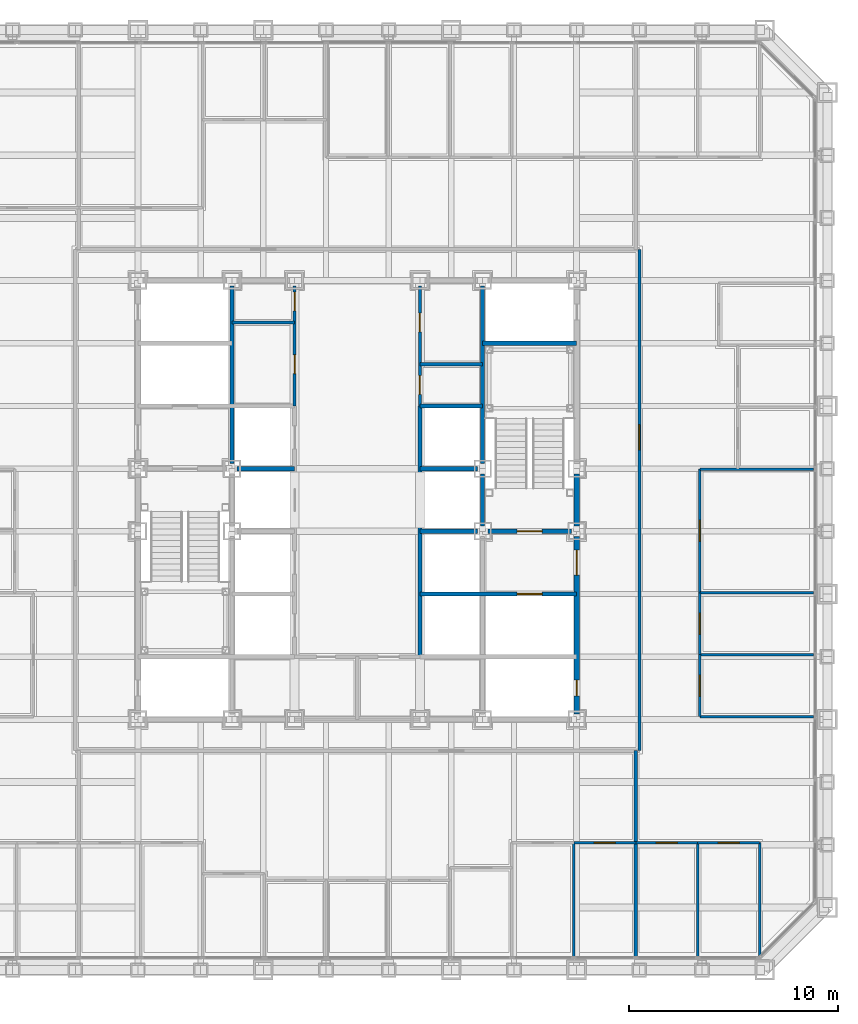
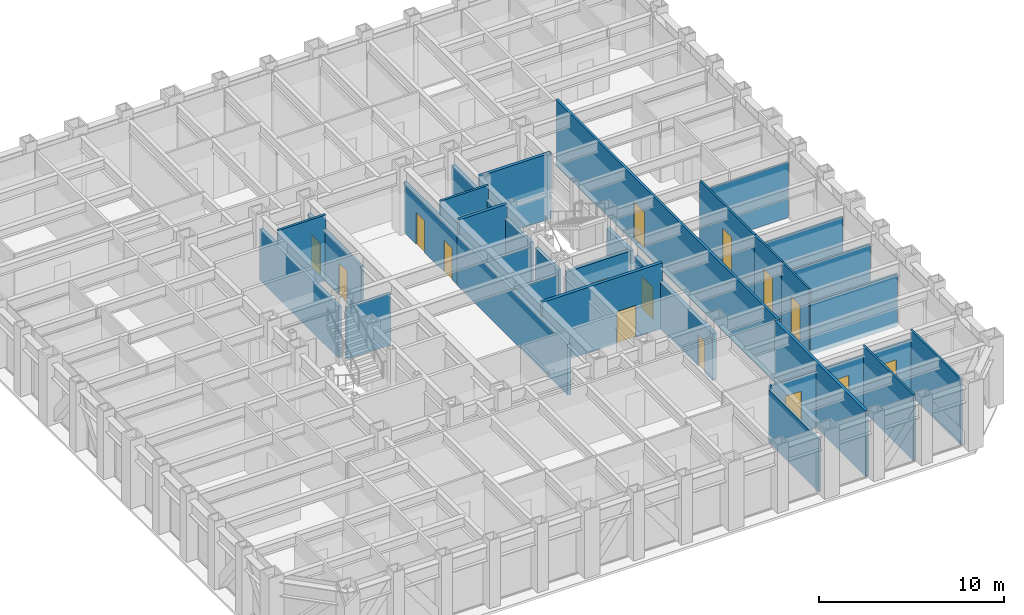
# One storey, part 10 of 16: 32 walls, 15 doors, 15 openings.
"""IFC4 building model written with IfcOpenShell, lengths in metres."""

import ifcopenshell
import ifcopenshell.guid

model = None  # the IFC model being written
_history = None  # IfcOwnerHistory: only IFC2X3 demands one
_inside = {}  # id of a spatial element -> (the spatial element, [elements in it])
_under = {}  # id of a project, library or spatial element -> (it, [spatial elements below it])
_declared = {}  # id of a project -> (the project, [libraries it declares])
_typed = {}  # id of a type object -> (the type object, [elements of that type])
_made_of = {}  # id of a material, layer set ... -> (it, [elements and type objects made of it])


def new_model(schema):
    """Start an empty IFC model of exactly this schema.

    Asked for "IFC4X3", IfcOpenShell would pick the latest addendum, in which some entities
    have other attributes; the version numbers below select the first issue.
    IFC2X3 requires an IfcOwnerHistory on every rooted entity: one is made here for all.
    """
    global model, _history
    if schema == "IFC4X3":
        model = ifcopenshell.file(schema_version=(4, 3, 0, 0))
    else:
        model = ifcopenshell.file(schema=schema)
    _inside.clear()
    _under.clear()
    _declared.clear()
    _typed.clear()
    _made_of.clear()
    _history = None
    if model.schema == "IFC2X3":
        org = make("IfcOrganization", Name="unknown")
        user = make(
            "IfcPersonAndOrganization",
            ThePerson=make("IfcPerson", FamilyName="unknown"),
            TheOrganization=org,
        )
        app = make(
            "IfcApplication",
            ApplicationDeveloper=org,
            Version="unknown",
            ApplicationFullName="unknown",
            ApplicationIdentifier="unknown",
        )
        _history = make(
            "IfcOwnerHistory",
            OwningUser=user,
            OwningApplication=app,
            ChangeAction="ADDED",
            CreationDate=0,
        )
    return model


def make(cls, **values):
    """One entity of the class cls with the attributes given. An attribute that is None is left unset."""
    return model.create_entity(
        cls, **{name: value for name, value in values.items() if value is not None}
    )


def rooted(cls, **values):
    """An entity with a GlobalId (a new one), such as an element, a storey or a relation."""
    return make(cls, GlobalId=ifcopenshell.guid.new(), OwnerHistory=_history, **values)


def si_unit(unit_type, name, prefix=None):
    """IfcSIUnit, for example si_unit("LENGTHUNIT", "METRE", prefix="MILLI")."""
    return make("IfcSIUnit", UnitType=unit_type, Prefix=prefix, Name=name)


def assignment(units):
    """IfcUnitAssignment: the units of a project."""
    return None if units is None else make("IfcUnitAssignment", Units=units)


def point(xyz):
    """IfcCartesianPoint."""
    return None if xyz is None else make("IfcCartesianPoint", Coordinates=xyz)


def direction(xyz):
    """IfcDirection."""
    return None if xyz is None else make("IfcDirection", DirectionRatios=xyz)


def frame(location, z_axis=None, x_axis=None):
    """IfcAxis2Placement3D, a coordinate frame: its origin and axes. An axis left out is left unset."""
    return make(
        "IfcAxis2Placement3D",
        Location=point(location),
        Axis=direction(z_axis),
        RefDirection=direction(x_axis),
    )


def frame_2d(location, x_axis=None):
    """IfcAxis2Placement2D, a coordinate frame in the plane: its origin and x axis."""
    return make(
        "IfcAxis2Placement2D", Location=point(location), RefDirection=direction(x_axis)
    )


def origin():
    """The frame at (0, 0, 0) with its axes left unset."""
    return frame((0.0, 0.0, 0.0))


def place(relative_to, where):
    """IfcLocalPlacement: puts the frame where relative to a parent placement (None: the world)."""
    return make(
        "IfcLocalPlacement", PlacementRelTo=relative_to, RelativePlacement=where
    )


def context(
    kind, dimensions, precision=None, world=None, true_north=None, identifier=None
):
    """IfcGeometricRepresentationContext, for example the 3D "Model" context."""
    return make(
        "IfcGeometricRepresentationContext",
        ContextIdentifier=identifier,
        ContextType=kind,
        CoordinateSpaceDimension=dimensions,
        Precision=precision,
        WorldCoordinateSystem=world,
        TrueNorth=true_north,
    )


def subcontext(parent, identifier, kind, view, scale=None):
    """IfcGeometricRepresentationSubContext, for example "Body" below "Model"."""
    return make(
        "IfcGeometricRepresentationSubContext",
        ContextIdentifier=identifier,
        ContextType=kind,
        ParentContext=parent,
        TargetScale=scale,
        TargetView=view,
    )


def project(units=None, contexts=None):
    """IfcProject with its units and contexts."""
    return rooted(
        "IfcProject",
        Name="project",
        RepresentationContexts=contexts,
        UnitsInContext=assignment(units),
    )


def spatial(cls, under=None, at=None, **own):
    """A site, building, storey or space (cls), placed at a placement, below another one or the project."""
    s = rooted(cls, ObjectPlacement=at, **own)
    if under is not None:
        _under.setdefault(under.id(), (under, []))[1].append(s)
    return s


def profile(cls, at=None, kind="AREA", **sizes):
    """A parametric profile (cls). Its sizes go by their IFC names, for example OverallWidth=200.0."""
    return make(cls, ProfileType=kind, Position=at, **sizes)


def rectangle(**sizes):
    """IfcRectangleProfileDef."""
    return profile("IfcRectangleProfileDef", **sizes)


def extrude(swept, where, along, depth):
    """IfcExtrudedAreaSolid: the profile swept, set in the frame where, extruded along a direction by depth."""
    return make(
        "IfcExtrudedAreaSolid",
        SweptArea=swept,
        Position=where,
        ExtrudedDirection=direction(along),
        Depth=depth,
    )


def shape(context_of_items, identifier, shape_type, items):
    """IfcShapeRepresentation: the items that make up one representation, for example the "Body"."""
    return make(
        "IfcShapeRepresentation",
        ContextOfItems=context_of_items,
        RepresentationIdentifier=identifier,
        RepresentationType=shape_type,
        Items=items,
    )


def material(Name=None, Category=None):
    """IfcMaterial."""
    return make("IfcMaterial", Name=Name, Category=Category)


def layer(
    of_material, thickness, ventilated=None, Name=None, Category=None, Priority=None
):
    """IfcMaterialLayer: one layer of a wall or slab, of a material (None: an air gap)."""
    return make(
        "IfcMaterialLayer",
        Material=of_material,
        LayerThickness=thickness,
        IsVentilated=ventilated,
        Name=Name,
        Category=Category,
        Priority=Priority,
    )


def layer_set(layers, Name=None):
    """IfcMaterialLayerSet."""
    return make("IfcMaterialLayerSet", MaterialLayers=layers, LayerSetName=Name)


def made_of(thing, what):
    """Note that an element or type object is made of a material, layer set ...; save() writes the relation."""
    if what is not None:
        _made_of.setdefault(what.id(), (what, []))[1].append(thing)
    return thing


def type_object(cls, material=None, **own):
    """A type object (cls), such as IfcWallType, which elements share."""
    return made_of(rooted(cls, **own), material)


def element(
    cls,
    number,
    at=None,
    inside=None,
    cuts=None,
    type_object=None,
    material=None,
    context=None,
    identifier="Body",
    shape_type=None,
    held_by="IfcProductDefinitionShape",
    body=None,
    shapes=None,
    **own,
):
    """One element of the class cls, such as IfcWall. Its Tag is "e" and its number.

    at: its placement. inside: the storey or other place that contains it. cuts: it is an
    opening in that element (IfcRelVoidsElement). A single representation is given by context,
    identifier, shape_type and body (its items); several are given by shapes. held_by: the class
    of the entity that holds the representations. save() writes the other relations.
    """
    e = rooted(cls, Tag="e%d" % number, ObjectPlacement=at, **own)
    if body is not None:
        shapes = [shape(context, identifier, shape_type, body)]
    if shapes is not None:
        e.Representation = make(held_by, Representations=shapes)
    if inside is not None:
        _inside.setdefault(inside.id(), (inside, []))[1].append(e)
    if cuts is not None:
        rooted(
            "IfcRelVoidsElement", RelatingBuildingElement=cuts, RelatedOpeningElement=e
        )
    if type_object is not None:
        _typed.setdefault(type_object.id(), (type_object, []))[1].append(e)
    return made_of(e, material)


def fill(opening, filler):
    """IfcRelFillsElement: the door or window that sits in an opening."""
    return rooted(
        "IfcRelFillsElement",
        RelatingOpeningElement=opening,
        RelatedBuildingElement=filler,
    )


def aggregate(whole, parts):
    """IfcRelAggregates: a whole, such as a stair, and the parts it consists of."""
    return rooted("IfcRelAggregates", RelatingObject=whole, RelatedObjects=parts)


def save(model, path):
    """Write the relations noted so far, then the file.

    IfcRelAggregates (storeys below a building ...), IfcRelContainedInSpatialStructure (elements
    in a storey), IfcRelDefinesByType, IfcRelAssociatesMaterial and IfcRelDeclares: one each for
    every whole, place, type object, material and project.
    """
    for whole, parts in _under.values():
        aggregate(whole, parts)
    for where, things in _inside.values():
        rooted(
            "IfcRelContainedInSpatialStructure",
            RelatedElements=things,
            RelatingStructure=where,
        )
    for kind, things in _typed.values():
        rooted("IfcRelDefinesByType", RelatedObjects=things, RelatingType=kind)
    for what, things in _made_of.values():
        rooted("IfcRelAssociatesMaterial", RelatedObjects=things, RelatingMaterial=what)
    for by, libraries in _declared.values():
        rooted("IfcRelDeclares", RelatingContext=by, RelatedDefinitions=libraries)
    model.write(path)


model = new_model("IFC4")

# Units and contexts
model_context = context("Model", 3, precision=1e-05, world=origin(), true_north=direction((0.0, 1.0)))
body_context = subcontext(model_context, "Body", "Model", "MODEL_VIEW")
ifc_project = project(units=[si_unit("LENGTHUNIT", "METRE"), si_unit("AREAUNIT", "SQUARE_METRE"), si_unit("VOLUMEUNIT", "CUBIC_METRE"), si_unit("PLANEANGLEUNIT", "RADIAN"), si_unit("MASSUNIT", "GRAM", prefix="KILO")], contexts=[model_context])

# Site, building, storey
site_placement = place(None, origin())
site = spatial("IfcSite", under=ifc_project, at=site_placement, CompositionType="ELEMENT")
building_placement = place(site_placement, origin())
building = spatial("IfcBuilding", under=site, at=building_placement, Name="Chuquiago Exchange Tower", CompositionType="ELEMENT")
storey_placement = place(building_placement, frame((0.0, 0.0, 73.800048828125)))
storey = spatial("IfcBuildingStorey", under=building, at=storey_placement, Name="L15", CompositionType="ELEMENT", Elevation=73.800048828125)

# Wall, openings, doors
ifc_material_1 = material(Name="Concrete masonry, fully grouted", Category="masonry")
ifc_layer_1 = layer(ifc_material_1, 0.25)
ifc_layer_set_1 = layer_set([ifc_layer_1], Name="W1 core wall 250")
wall_type_1 = type_object("IfcWallType", Name="W1 core wall 250", PredefinedType="SOLIDWALL", material=ifc_layer_set_1)
wall_1_placement = place(storey_placement, frame((33.0, 12.25, 0.0), z_axis=(0.0, 0.0, 1.0), x_axis=(0.0, 1.0, 0.0)))
wall_1 = element("IfcWall", 1, at=wall_1_placement, inside=storey, type_object=wall_type_1, Name="CW-L15-25-0", PredefinedType="SOLIDWALL", context=body_context, shape_type="SweptSolid", body=[
    extrude(rectangle(XDim=8.5, YDim=0.25, at=frame_2d((4.25, 0.0))), origin(), (0.0, 0.0, 1.0), 3.11279296875),
])
opening_1_placement = place(wall_1_placement, frame((6.64990234375, 0.0, 0.0)))
opening_1 = element("IfcOpeningElement", 2, at=opening_1_placement, cuts=wall_1, Name="Opening L15-004", PredefinedType="OPENING", context=body_context, shape_type="SweptSolid", body=[
    extrude(rectangle(XDim=1.199951171875, YDim=2.10009765625, at=frame_2d((0.60009765625, 1.050048828125))), frame((0.0, 0.135009765625, 0.0), z_axis=(0.0, -1.0, 0.0), x_axis=(1.0, 0.0, 0.0)), (0.0, 0.0, 1.0), 0.27001953125),
])
opening_2_placement = place(wall_1_placement, frame((0.875, 0.0, 0.0)))
opening_2 = element("IfcOpeningElement", 3, at=opening_2_placement, cuts=wall_1, Name="Opening L15-009", PredefinedType="OPENING", context=body_context, shape_type="SweptSolid", body=[
    extrude(rectangle(XDim=0.75, YDim=2.10009765625, at=frame_2d((0.375, 1.050048828125))), frame((0.0, 0.135009765625, 0.0), z_axis=(0.0, -1.0, 0.0), x_axis=(1.0, 0.0, 0.0)), (0.0, 0.0, 1.0), 0.27001953125),
])
ifc_material_2 = material(Name="Steel door, painted", Category="steel")
door_type_1 = type_object("IfcDoorType", Name="D5 firefighting lobby door 1200x2100", OperationType="SINGLE_SWING_LEFT", PredefinedType="DOOR", material=ifc_material_2)
door_1_placement = place(opening_1_placement, origin())
door_1 = element("IfcDoor", 4, at=door_1_placement, inside=storey, type_object=door_type_1, Name="Firefighting lobby 2 door", OperationType="SINGLE_SWING_RIGHT", OverallHeight=2.10009765625, OverallWidth=1.199951171875, PredefinedType="DOOR", context=body_context, shape_type="SweptSolid", body=[
    extrude(rectangle(XDim=1.199951171875, YDim=2.10009765625, at=frame_2d((0.60009765625, 1.050048828125))), frame((0.0, 0.02490234375, 0.0), z_axis=(0.0, -1.0, 0.0), x_axis=(1.0, 0.0, 0.0)), (0.0, 0.0, 1.0), 0.050048828125),
])
fill(opening_1, door_1)
ifc_material_3 = material(Name="Steel door, painted", Category="steel")
door_type_2 = type_object("IfcDoorType", Name="D6 riser access door 750x2100", OperationType="SINGLE_SWING_LEFT", PredefinedType="DOOR", material=ifc_material_3)
door_2_placement = place(opening_2_placement, frame((0.75, 0.0, 0.0), z_axis=(0.0, 0.0, 1.0), x_axis=(-1.0, 0.0, 0.0)))
door_2 = element("IfcDoor", 5, at=door_2_placement, inside=storey, type_object=door_type_2, Name="Riser RE1 door", OperationType="SINGLE_SWING_RIGHT", OverallHeight=2.10009765625, OverallWidth=0.75, PredefinedType="DOOR", context=body_context, shape_type="SweptSolid", body=[
    extrude(rectangle(XDim=0.75, YDim=2.10009765625, at=frame_2d((0.375, 1.050048828125))), frame((0.0, 0.02490234375, 0.0), z_axis=(0.0, -1.0, 0.0), x_axis=(1.0, 0.0, 0.0)), (0.0, 0.0, 1.0), 0.050048828125),
])
fill(opening_2, door_2)

# Wall
wall_2_placement = place(storey_placement, frame((33.0, 21.25, 0.0), z_axis=(0.0, 0.0, 1.0), x_axis=(0.0, 1.0, 0.0)))
element("IfcWall", 6, at=wall_2_placement, inside=storey, type_object=wall_type_1, Name="CW-L15-25-1", PredefinedType="SOLIDWALL", context=body_context, shape_type="SweptSolid", body=[
    extrude(rectangle(XDim=2.5, YDim=0.25, at=frame_2d((1.25, 0.0))), origin(), (0.0, 0.0, 1.0), 3.11279296875),
])

# Wall, opening, door
ifc_material_4 = material(Name="Gypsum board on steel studs, acoustic insulation", Category="steel")
ifc_layer_2 = layer(ifc_material_4, 0.14990234375)
ifc_layer_set_2 = layer_set([ifc_layer_2], Name="W11 corridor wall 150")
wall_type_2 = type_object("IfcWallType", Name="W11 corridor wall 150", PredefinedType="PARTITIONING", material=ifc_layer_set_2)
wall_3_placement = place(storey_placement, frame((36.0, 10.5, -0.300048828125), z_axis=(0.0, 0.0, 1.0), x_axis=(0.0, 1.0, 0.0)))
wall_3 = element("IfcWall", 7, at=wall_3_placement, inside=storey, type_object=wall_type_2, Name="PW-L15-CE", PredefinedType="PARTITIONING", context=body_context, shape_type="SweptSolid", body=[
    extrude(rectangle(XDim=24.0, YDim=0.14990234375, at=frame_2d((12.0, 0.0))), origin(), (0.0, 0.0, 1.0), 4.340087890625),
])
opening_3_placement = place(wall_3_placement, frame((14.39990234375, 0.0, 0.300048828125)))
opening_3 = element("IfcOpeningElement", 8, at=opening_3_placement, cuts=wall_3, Name="Opening L15-059", PredefinedType="OPENING", context=body_context, shape_type="SweptSolid", body=[
    extrude(rectangle(XDim=1.199951171875, YDim=2.39990234375, at=frame_2d((0.60009765625, 1.199951171875))), frame((0.0, 0.0849609375, 0.0), z_axis=(0.0, -1.0, 0.0), x_axis=(1.0, 0.0, 0.0)), (0.0, 0.0, 1.0), 0.169921875),
])
ifc_material_5 = material(Name="Timber door, laminate faced", Category="wood")
door_type_3 = type_object("IfcDoorType", Name="D13 suite entrance door 1200x2400", OperationType="SINGLE_SWING_LEFT", PredefinedType="DOOR", material=ifc_material_5)
door_3_placement = place(opening_3_placement, frame((1.199951171875, 0.0, 0.0), z_axis=(0.0, 0.0, 1.0), x_axis=(-1.0, 0.0, 0.0)))
door_3 = element("IfcDoor", 9, at=door_3_placement, inside=storey, type_object=door_type_3, Name="East suite entrance door", OperationType="SINGLE_SWING_LEFT", OverallHeight=2.39990234375, OverallWidth=1.199951171875, PredefinedType="DOOR", context=body_context, shape_type="SweptSolid", body=[
    extrude(rectangle(XDim=1.199951171875, YDim=2.39990234375, at=frame_2d((0.60009765625, 1.199951171875))), frame((0.0, 0.02490234375, 0.0), z_axis=(0.0, -1.0, 0.0), x_axis=(1.0, 0.0, 0.0)), (0.0, 0.0, 1.0), 0.050048828125),
])
fill(opening_3, door_3)

# Walls
ifc_material_6 = material(Name="Gypsum board on twin steel studs, acoustic insulation", Category="steel")
ifc_layer_3 = layer(ifc_material_6, 0.175048828125)
ifc_layer_set_3 = layer_set([ifc_layer_3], Name="W12 tenant demising wall 175")
wall_type_3 = type_object("IfcWallType", Name="W12 tenant demising wall 175", PredefinedType="PARTITIONING", material=ifc_layer_set_3)
wall_4_placement = place(storey_placement, frame((35.827880859375, 0.657470703125, -0.300048828125), z_axis=(0.0, 0.0, 1.0), x_axis=(0.0, 1.0, 0.0)))
element("IfcWall", 10, at=wall_4_placement, inside=storey, type_object=wall_type_3, Name="PW-L15-DS03583", PredefinedType="PARTITIONING", context=body_context, shape_type="SweptSolid", body=[
    extrude(rectangle(XDim=9.842529296875, YDim=0.175048828125, at=frame_2d((4.92138671875, 0.0))), origin(), (0.0, 0.0, 1.0), 4.340087890625),
])
ifc_material_7 = material(Name="Concrete masonry, fully grouted", Category="masonry")
ifc_layer_4 = layer(ifc_material_7, 0.199951171875)
ifc_layer_set_4 = layer_set([ifc_layer_4], Name="W2 shaft wall 200")
wall_type_4 = type_object("IfcWallType", Name="W2 shaft wall 200", PredefinedType="SOLIDWALL", material=ifc_layer_set_4)
for number, where, z_axis, x_axis, name in (
    (11, (16.75, 24.0, 0.0), (0.0, 0.0, 1.0), (1.0, 0.0, 0.0), "CW-L15-05-1"),
    (12, (25.5, 24.0, 0.0), (0.0, 0.0, 1.0), (1.0, 0.0, 0.0), "CW-L15-06-0"),
):
    element("IfcWall", number, at=place(storey_placement, frame(where, z_axis=z_axis, x_axis=x_axis)), inside=storey, type_object=wall_type_4, Name=name, PredefinedType="SOLIDWALL", context=body_context, shape_type="SweptSolid", body=[
        extrude(rectangle(XDim=2.75, YDim=0.199951171875, at=frame_2d((1.375, 0.0))), origin(), (0.0, 0.0, 1.0), 3.389892578125),
    ])
wall_5_placement = place(storey_placement, frame((25.5, 27.0, 0.0), z_axis=(0.0, 0.0, 1.0), x_axis=(1.0, 0.0, 0.0)))
element("IfcWall", 13, at=wall_5_placement, inside=storey, type_object=wall_type_4, Name="CW-L15-08-0", PredefinedType="SOLIDWALL", context=body_context, shape_type="SweptSolid", body=[
    extrude(rectangle(XDim=3.0, YDim=0.199951171875, at=frame_2d((1.5, 0.0))), origin(), (0.0, 0.0, 1.0), 4.33984375),
])
wall_6_placement = place(storey_placement, frame((28.5, 30.0, 0.0), z_axis=(0.0, 0.0, 1.0), x_axis=(1.0, 0.0, 0.0)))
element("IfcWall", 14, at=wall_6_placement, inside=storey, type_object=wall_type_4, Name="CW-L15-10-0", PredefinedType="SOLIDWALL", context=body_context, shape_type="SweptSolid", body=[
    extrude(rectangle(XDim=4.5, YDim=0.199951171875, at=frame_2d((2.25, 0.0))), origin(), (0.0, 0.0, 1.0), 4.33984375),
])
wall_7_placement = place(storey_placement, frame((16.5, 24.25, 0.0), z_axis=(0.0, 0.0, 1.0), x_axis=(0.0, 1.0, 0.0)))
element("IfcWall", 15, at=wall_7_placement, inside=storey, type_object=wall_type_4, Name="CW-L15-13-2", PredefinedType="SOLIDWALL", context=body_context, shape_type="SweptSolid", body=[
    extrude(rectangle(XDim=8.5, YDim=0.199951171875, at=frame_2d((4.25, 0.0))), origin(), (0.0, 0.0, 1.0), 3.412841796875),
])

# Wall, opening, door
wall_8_placement = place(storey_placement, frame((25.5, 18.0, 0.0), z_axis=(0.0, 0.0, 1.0), x_axis=(1.0, 0.0, 0.0)))
wall_8 = element("IfcWall", 16, at=wall_8_placement, inside=storey, type_object=wall_type_4, Name="CW-L15-15-0", PredefinedType="SOLIDWALL", context=body_context, shape_type="SweptSolid", body=[
    extrude(rectangle(XDim=7.5, YDim=0.199951171875, at=frame_2d((3.75, 0.0))), origin(), (0.0, 0.0, 1.0), 4.33984375),
])
opening_4_placement = place(wall_8_placement, frame((4.64990234375, 0.0, 0.0)))
opening_4 = element("IfcOpeningElement", 17, at=opening_4_placement, cuts=wall_8, Name="Opening L15-006", PredefinedType="OPENING", context=body_context, shape_type="SweptSolid", body=[
    extrude(rectangle(XDim=1.199951171875, YDim=2.10009765625, at=frame_2d((0.60009765625, 1.050048828125))), frame((0.0, 0.10986328125, 0.0), z_axis=(0.0, -1.0, 0.0), x_axis=(1.0, 0.0, 0.0)), (0.0, 0.0, 1.0), 0.219970703125),
])
ifc_material_8 = material(Name="Stainless steel lift landing door", Category="steel")
door_type_4 = type_object("IfcDoorType", Name="LD2 firefighting lift landing door 1200x2100", OperationType="DOUBLE_DOOR_SLIDING", PredefinedType="DOOR", material=ifc_material_8)
door_4_placement = place(opening_4_placement, origin())
door_4 = element("IfcDoor", 18, at=door_4_placement, inside=storey, type_object=door_type_4, Name="Firefighting lift FL2 landing door", OperationType="DOUBLE_DOOR_SLIDING", OverallHeight=2.10009765625, OverallWidth=1.199951171875, PredefinedType="DOOR", context=body_context, shape_type="SweptSolid", body=[
    extrude(rectangle(XDim=1.199951171875, YDim=2.10009765625, at=frame_2d((0.60009765625, 1.050048828125))), frame((0.0, 0.02490234375, 0.0), z_axis=(0.0, -1.0, 0.0), x_axis=(1.0, 0.0, 0.0)), (0.0, 0.0, 1.0), 0.050048828125),
])
fill(opening_4, door_4)

# Wall
wall_9_placement = place(storey_placement, frame((25.5, 21.0, 0.0), z_axis=(0.0, 0.0, 1.0), x_axis=(1.0, 0.0, 0.0)))
element("IfcWall", 19, at=wall_9_placement, inside=storey, type_object=wall_type_4, Name="CW-L15-17-0", PredefinedType="SOLIDWALL", context=body_context, shape_type="SweptSolid", body=[
    extrude(rectangle(XDim=2.75, YDim=0.199951171875, at=frame_2d((1.375, 0.0))), origin(), (0.0, 0.0, 1.0), 3.389892578125),
])

# Wall, opening, door
wall_10_placement = place(storey_placement, frame((28.75, 21.0, 0.0), z_axis=(0.0, 0.0, 1.0), x_axis=(1.0, 0.0, 0.0)))
wall_10 = element("IfcWall", 20, at=wall_10_placement, inside=storey, type_object=wall_type_4, Name="CW-L15-17-1", PredefinedType="SOLIDWALL", context=body_context, shape_type="SweptSolid", body=[
    extrude(rectangle(XDim=4.0, YDim=0.199951171875, at=frame_2d((2.0, 0.0))), origin(), (0.0, 0.0, 1.0), 3.389892578125),
])
opening_5_placement = place(wall_10_placement, frame((1.39990234375, 0.0, 0.0)))
opening_5 = element("IfcOpeningElement", 21, at=opening_5_placement, cuts=wall_10, Name="Opening L15-003", PredefinedType="OPENING", context=body_context, shape_type="SweptSolid", body=[
    extrude(rectangle(XDim=1.199951171875, YDim=2.10009765625, at=frame_2d((0.60009765625, 1.050048828125))), frame((0.0, 0.10986328125, 0.0), z_axis=(0.0, -1.0, 0.0), x_axis=(1.0, 0.0, 0.0)), (0.0, 0.0, 1.0), 0.219970703125),
])
ifc_material_9 = material(Name="Steel door, painted", Category="steel")
door_type_5 = type_object("IfcDoorType", Name="D4 stair door 1200x2100", OperationType="SINGLE_SWING_LEFT", PredefinedType="DOOR", material=ifc_material_9)
door_5_placement = place(opening_5_placement, origin())
door_5 = element("IfcDoor", 22, at=door_5_placement, inside=storey, type_object=door_type_5, Name="Stair ST2 door", OperationType="SINGLE_SWING_LEFT", OverallHeight=2.10009765625, OverallWidth=1.199951171875, PredefinedType="DOOR", context=body_context, shape_type="SweptSolid", body=[
    extrude(rectangle(XDim=1.199951171875, YDim=2.10009765625, at=frame_2d((0.60009765625, 1.050048828125))), frame((0.0, 0.02490234375, 0.0), z_axis=(0.0, -1.0, 0.0), x_axis=(1.0, 0.0, 0.0)), (0.0, 0.0, 1.0), 0.050048828125),
])
fill(opening_5, door_5)

# Walls
wall_11_placement = place(storey_placement, frame((25.5, 15.0, 0.0), z_axis=(0.0, 0.0, 1.0), x_axis=(0.0, 1.0, 0.0)))
element("IfcWall", 23, at=wall_11_placement, inside=storey, type_object=wall_type_4, Name="CW-L15-22-0", PredefinedType="SOLIDWALL", context=body_context, shape_type="SweptSolid", body=[
    extrude(rectangle(XDim=12.0, YDim=0.199951171875, at=frame_2d((6.0, 0.0))), origin(), (0.0, 0.0, 1.0), 3.364501953125),
])
wall_12_placement = place(storey_placement, frame((28.5, 21.25, 0.0), z_axis=(0.0, 0.0, 1.0), x_axis=(0.0, 1.0, 0.0)))
element("IfcWall", 24, at=wall_12_placement, inside=storey, type_object=wall_type_4, Name="CW-L15-24-1", PredefinedType="SOLIDWALL", context=body_context, shape_type="SweptSolid", body=[
    extrude(rectangle(XDim=2.5, YDim=0.199951171875, at=frame_2d((1.25, 0.0))), origin(), (0.0, 0.0, 1.0), 3.412841796875),
])
wall_13_placement = place(storey_placement, frame((28.5, 24.25, 0.0), z_axis=(0.0, 0.0, 1.0), x_axis=(0.0, 1.0, 0.0)))
element("IfcWall", 25, at=wall_13_placement, inside=storey, type_object=wall_type_4, Name="CW-L15-24-2", PredefinedType="SOLIDWALL", context=body_context, shape_type="SweptSolid", body=[
    extrude(rectangle(XDim=8.5, YDim=0.199951171875, at=frame_2d((4.25, 0.0))), origin(), (0.0, 0.0, 1.0), 3.412841796875),
])

# Wall, openings, doors
ifc_material_10 = material(Name="Gypsum board on steel studs", Category="steel")
ifc_layer_5 = layer(ifc_material_10, 0.14990234375)
ifc_layer_set_5 = layer_set([ifc_layer_5], Name="W3 core partition 150")
wall_type_5 = type_object("IfcWallType", Name="W3 core partition 150", PredefinedType="PARTITIONING", material=ifc_layer_set_5)
wall_14_placement = place(storey_placement, frame((19.5, 27.0, 0.0), z_axis=(0.0, 0.0, 1.0), x_axis=(0.0, 1.0, 0.0)))
wall_14 = element("IfcWall", 26, at=wall_14_placement, inside=storey, type_object=wall_type_5, Name="CW-L15-20-0", PredefinedType="PARTITIONING", context=body_context, shape_type="SweptSolid", body=[
    extrude(rectangle(XDim=5.75, YDim=0.14990234375, at=frame_2d((2.875, 0.0))), origin(), (0.0, 0.0, 1.0), 3.364501953125),
])
opening_6_placement = place(wall_14_placement, frame((1.550048828125, 0.0, 0.0)))
opening_6 = element("IfcOpeningElement", 27, at=opening_6_placement, cuts=wall_14, Name="Opening L15-011", PredefinedType="OPENING", context=body_context, shape_type="SweptSolid", body=[
    extrude(rectangle(XDim=0.89990234375, YDim=2.10009765625, at=frame_2d((0.449951171875, 1.050048828125))), frame((0.0, 0.0849609375, 0.0), z_axis=(0.0, -1.0, 0.0), x_axis=(1.0, 0.0, 0.0)), (0.0, 0.0, 1.0), 0.169921875),
])
opening_7_placement = place(wall_14_placement, frame((4.550048828125, 0.0, 0.0)))
opening_7 = element("IfcOpeningElement", 28, at=opening_7_placement, cuts=wall_14, Name="Opening L15-012", PredefinedType="OPENING", context=body_context, shape_type="SweptSolid", body=[
    extrude(rectangle(XDim=0.89990234375, YDim=2.10009765625, at=frame_2d((0.449951171875, 1.050048828125))), frame((0.0, 0.0849609375, 0.0), z_axis=(0.0, -1.0, 0.0), x_axis=(1.0, 0.0, 0.0)), (0.0, 0.0, 1.0), 0.169921875),
])
ifc_material_11 = material(Name="Timber door, laminate faced", Category="wood")
door_type_6 = type_object("IfcDoorType", Name="D16 core room door 900x2100", OperationType="SINGLE_SWING_LEFT", PredefinedType="DOOR", material=ifc_material_11)
door_6_placement = place(opening_7_placement, origin())
door_6 = element("IfcDoor", 29, at=door_6_placement, inside=storey, type_object=door_type_6, Name="Staff shower room door", OperationType="SINGLE_SWING_RIGHT", OverallHeight=2.10009765625, OverallWidth=0.89990234375, PredefinedType="DOOR", context=body_context, shape_type="SweptSolid", body=[
    extrude(rectangle(XDim=0.89990234375, YDim=2.10009765625, at=frame_2d((0.449951171875, 1.050048828125))), frame((0.0, 0.02490234375, 0.0), z_axis=(0.0, -1.0, 0.0), x_axis=(1.0, 0.0, 0.0)), (0.0, 0.0, 1.0), 0.050048828125),
])
fill(opening_7, door_6)
ifc_material_12 = material(Name="Timber door, laminate faced", Category="wood")
door_type_7 = type_object("IfcDoorType", Name="D7 toilet door 900x2100", OperationType="SINGLE_SWING_LEFT", PredefinedType="DOOR", material=ifc_material_12)
door_7_placement = place(opening_6_placement, origin())
door_7 = element("IfcDoor", 30, at=door_7_placement, inside=storey, type_object=door_type_7, Name="Male WC door", OperationType="SINGLE_SWING_LEFT", OverallHeight=2.10009765625, OverallWidth=0.89990234375, PredefinedType="DOOR", context=body_context, shape_type="SweptSolid", body=[
    extrude(rectangle(XDim=0.89990234375, YDim=2.10009765625, at=frame_2d((0.449951171875, 1.050048828125))), frame((0.0, 0.02490234375, 0.0), z_axis=(0.0, -1.0, 0.0), x_axis=(1.0, 0.0, 0.0)), (0.0, 0.0, 1.0), 0.050048828125),
])
fill(opening_6, door_7)

wall_15_placement = place(storey_placement, frame((25.5, 27.0, 0.0), z_axis=(0.0, 0.0, 1.0), x_axis=(0.0, 1.0, 0.0)))
wall_15 = element("IfcWall", 31, at=wall_15_placement, inside=storey, type_object=wall_type_5, Name="CW-L15-23-0", PredefinedType="PARTITIONING", context=body_context, shape_type="SweptSolid", body=[
    extrude(rectangle(XDim=5.75, YDim=0.14990234375, at=frame_2d((2.875, 0.0))), origin(), (0.0, 0.0, 1.0), 3.364501953125),
])
opening_8_placement = place(wall_15_placement, frame((0.550048828125, 0.0, 0.0)))
opening_8 = element("IfcOpeningElement", 32, at=opening_8_placement, cuts=wall_15, Name="Opening L15-013", PredefinedType="OPENING", context=body_context, shape_type="SweptSolid", body=[
    extrude(rectangle(XDim=0.89990234375, YDim=2.10009765625, at=frame_2d((0.449951171875, 1.050048828125))), frame((0.0, 0.0849609375, 0.0), z_axis=(0.0, -1.0, 0.0), x_axis=(1.0, 0.0, 0.0)), (0.0, 0.0, 1.0), 0.169921875),
])
opening_9_placement = place(wall_15_placement, frame((3.550048828125, 0.0, 0.0)))
opening_9 = element("IfcOpeningElement", 33, at=opening_9_placement, cuts=wall_15, Name="Opening L15-014", PredefinedType="OPENING", context=body_context, shape_type="SweptSolid", body=[
    extrude(rectangle(XDim=0.89990234375, YDim=2.10009765625, at=frame_2d((0.449951171875, 1.050048828125))), frame((0.0, 0.0849609375, 0.0), z_axis=(0.0, -1.0, 0.0), x_axis=(1.0, 0.0, 0.0)), (0.0, 0.0, 1.0), 0.169921875),
])
door_8_placement = place(opening_8_placement, frame((0.89990234375, 0.0, 0.0), z_axis=(0.0, 0.0, 1.0), x_axis=(-1.0, 0.0, 0.0)))
door_8 = element("IfcDoor", 34, at=door_8_placement, inside=storey, type_object=door_type_6, Name="First aid room door", OperationType="SINGLE_SWING_RIGHT", OverallHeight=2.10009765625, OverallWidth=0.89990234375, PredefinedType="DOOR", context=body_context, shape_type="SweptSolid", body=[
    extrude(rectangle(XDim=0.89990234375, YDim=2.10009765625, at=frame_2d((0.449951171875, 1.050048828125))), frame((0.0, 0.02490234375, 0.0), z_axis=(0.0, -1.0, 0.0), x_axis=(1.0, 0.0, 0.0)), (0.0, 0.0, 1.0), 0.050048828125),
])
fill(opening_8, door_8)
door_9_placement = place(opening_9_placement, frame((0.89990234375, 0.0, 0.0), z_axis=(0.0, 0.0, 1.0), x_axis=(-1.0, 0.0, 0.0)))
door_9 = element("IfcDoor", 35, at=door_9_placement, inside=storey, type_object=door_type_7, Name="Female WC door", OperationType="SINGLE_SWING_LEFT", OverallHeight=2.10009765625, OverallWidth=0.89990234375, PredefinedType="DOOR", context=body_context, shape_type="SweptSolid", body=[
    extrude(rectangle(XDim=0.89990234375, YDim=2.10009765625, at=frame_2d((0.449951171875, 1.050048828125))), frame((0.0, 0.02490234375, 0.0), z_axis=(0.0, -1.0, 0.0), x_axis=(1.0, 0.0, 0.0)), (0.0, 0.0, 1.0), 0.050048828125),
])
fill(opening_9, door_9)

# Walls
for number, where, z_axis, x_axis, name in (
    (36, (16.5, 31.0, 0.0), (0.0, 0.0, 1.0), (1.0, 0.0, 0.0), "CW-L15-WCMS"),
    (37, (25.5, 29.0, 0.0), (0.0, 0.0, 1.0), (1.0, 0.0, 0.0), "CW-L15-WCFS"),
):
    element("IfcWall", number, at=place(storey_placement, frame(where, z_axis=z_axis, x_axis=x_axis)), inside=storey, type_object=wall_type_5, Name=name, PredefinedType="PARTITIONING", context=body_context, shape_type="SweptSolid", body=[
        extrude(rectangle(XDim=3.0, YDim=0.14990234375, at=frame_2d((1.5, 0.0))), origin(), (0.0, 0.0, 1.0), 4.33984375),
    ])
ifc_material_13 = material(Name="Gypsum board on steel studs", Category="steel")
ifc_layer_6 = layer(ifc_material_13, 0.1201171875)
ifc_layer_set_6 = layer_set([ifc_layer_6], Name="W4 partition 120")
wall_type_6 = type_object("IfcWallType", Name="W4 partition 120", PredefinedType="PARTITIONING", material=ifc_layer_set_6)
wall_16_placement = place(storey_placement, frame((32.8662109375, 0.657470703125, -0.300048828125), z_axis=(0.0, 0.0, 1.0), x_axis=(0.0, 1.0, 0.0)))
element("IfcWall", 38, at=wall_16_placement, inside=storey, type_object=wall_type_6, Name="PW-L15-S03287", PredefinedType="PARTITIONING", context=body_context, shape_type="SweptSolid", body=[
    extrude(rectangle(XDim=5.442626953125, YDim=0.1201171875, at=frame_2d((2.72119140625, 0.0))), origin(), (0.0, 0.0, 1.0), 3.4814453125),
])
wall_17_placement = place(storey_placement, frame((38.789794921875, 0.657470703125, -0.300048828125), z_axis=(0.0, 0.0, 1.0), x_axis=(0.0, 1.0, 0.0)))
element("IfcWall", 39, at=wall_17_placement, inside=storey, type_object=wall_type_6, Name="PW-L15-S03879", PredefinedType="PARTITIONING", context=body_context, shape_type="SweptSolid", body=[
    extrude(rectangle(XDim=5.442626953125, YDim=0.1201171875, at=frame_2d((2.72119140625, 0.0))), origin(), (0.0, 0.0, 1.0), 4.340087890625),
])
wall_18_placement = place(storey_placement, frame((41.75146484375, 0.666015625, -0.300048828125), z_axis=(0.0, 0.0, 1.0), x_axis=(0.0, 1.0, 0.0)))
element("IfcWall", 40, at=wall_18_placement, inside=storey, type_object=wall_type_6, Name="PW-L15-S04175", PredefinedType="PARTITIONING", context=body_context, shape_type="SweptSolid", body=[
    extrude(rectangle(XDim=5.43408203125, YDim=0.1201171875, at=frame_2d((2.717041015625, 0.0))), origin(), (0.0, 0.0, 1.0), 4.340087890625),
])

# Wall, opening, door
wall_19_placement = place(storey_placement, frame((32.8662109375, 6.10009765625, -0.300048828125), z_axis=(0.0, 0.0, 1.0), x_axis=(1.0, 0.0, 0.0)))
wall_19 = element("IfcWall", 41, at=wall_19_placement, inside=storey, type_object=wall_type_6, Name="PW-L15-SF03287", PredefinedType="PARTITIONING", context=body_context, shape_type="SweptSolid", body=[
    extrude(rectangle(XDim=2.961669921875, YDim=0.1201171875, at=frame_2d((1.48095703125, 0.0))), origin(), (0.0, 0.0, 1.0), 3.722900390625),
])
opening_10_placement = place(wall_19_placement, frame((0.98095703125, 0.0, 0.300048828125)))
opening_10 = element("IfcOpeningElement", 42, at=opening_10_placement, cuts=wall_19, Name="Opening L15-031", PredefinedType="OPENING", context=body_context, shape_type="SweptSolid", body=[
    extrude(rectangle(XDim=1.0, YDim=2.39990234375, at=frame_2d((0.5, 1.199951171875))), frame((0.0, 0.070068359375, 0.0), z_axis=(0.0, -1.0, 0.0), x_axis=(1.0, 0.0, 0.0)), (0.0, 0.0, 1.0), 0.14013671875),
])
ifc_material_14 = material(Name="Timber frame door, full height glazed panel", Category="wood")
door_type_8 = type_object("IfcDoorType", Name="D14 glazed meeting room door 1000x2400", OperationType="SINGLE_SWING_LEFT", PredefinedType="DOOR", material=ifc_material_14)
door_10_placement = place(opening_10_placement, frame((1.0, 0.0, 0.0), z_axis=(0.0, 0.0, 1.0), x_axis=(-1.0, 0.0, 0.0)))
door_10 = element("IfcDoor", 43, at=door_10_placement, inside=storey, type_object=door_type_8, Name="Meeting room door", OperationType="SINGLE_SWING_LEFT", OverallHeight=2.39990234375, OverallWidth=1.0, PredefinedType="DOOR", context=body_context, shape_type="SweptSolid", body=[
    extrude(rectangle(XDim=1.0, YDim=2.39990234375, at=frame_2d((0.5, 1.199951171875))), frame((0.0, 0.02490234375, 0.0), z_axis=(0.0, -1.0, 0.0), x_axis=(1.0, 0.0, 0.0)), (0.0, 0.0, 1.0), 0.050048828125),
])
fill(opening_10, door_10)

wall_20_placement = place(storey_placement, frame((35.827880859375, 6.10009765625, -0.300048828125), z_axis=(0.0, 0.0, 1.0), x_axis=(1.0, 0.0, 0.0)))
wall_20 = element("IfcWall", 44, at=wall_20_placement, inside=storey, type_object=wall_type_6, Name="PW-L15-SF03583", PredefinedType="PARTITIONING", context=body_context, shape_type="SweptSolid", body=[
    extrude(rectangle(XDim=2.9619140625, YDim=0.1201171875, at=frame_2d((1.48095703125, 0.0))), origin(), (0.0, 0.0, 1.0), 3.722900390625),
])
opening_11_placement = place(wall_20_placement, frame((0.98095703125, 0.0, 0.300048828125)))
opening_11 = element("IfcOpeningElement", 45, at=opening_11_placement, cuts=wall_20, Name="Opening L15-032", PredefinedType="OPENING", context=body_context, shape_type="SweptSolid", body=[
    extrude(rectangle(XDim=1.0, YDim=2.39990234375, at=frame_2d((0.5, 1.199951171875))), frame((0.0, 0.070068359375, 0.0), z_axis=(0.0, -1.0, 0.0), x_axis=(1.0, 0.0, 0.0)), (0.0, 0.0, 1.0), 0.14013671875),
])
ifc_material_15 = material(Name="Timber door, laminate faced", Category="wood")
door_type_9 = type_object("IfcDoorType", Name="D9 room door 1000x2400", OperationType="SINGLE_SWING_LEFT", PredefinedType="DOOR", material=ifc_material_15)
door_11_placement = place(opening_11_placement, frame((1.0, 0.0, 0.0), z_axis=(0.0, 0.0, 1.0), x_axis=(-1.0, 0.0, 0.0)))
door_11 = element("IfcDoor", 46, at=door_11_placement, inside=storey, type_object=door_type_9, Name="Office door", OperationType="SINGLE_SWING_RIGHT", OverallHeight=2.39990234375, OverallWidth=1.0, PredefinedType="DOOR", context=body_context, shape_type="SweptSolid", body=[
    extrude(rectangle(XDim=1.0, YDim=2.39990234375, at=frame_2d((0.5, 1.199951171875))), frame((0.0, 0.02490234375, 0.0), z_axis=(0.0, -1.0, 0.0), x_axis=(1.0, 0.0, 0.0)), (0.0, 0.0, 1.0), 0.050048828125),
])
fill(opening_11, door_11)

wall_21_placement = place(storey_placement, frame((38.789794921875, 6.10009765625, -0.300048828125), z_axis=(0.0, 0.0, 1.0), x_axis=(1.0, 0.0, 0.0)))
wall_21 = element("IfcWall", 47, at=wall_21_placement, inside=storey, type_object=wall_type_6, Name="PW-L15-SF03879", PredefinedType="PARTITIONING", context=body_context, shape_type="SweptSolid", body=[
    extrude(rectangle(XDim=2.961669921875, YDim=0.1201171875, at=frame_2d((1.48095703125, 0.0))), origin(), (0.0, 0.0, 1.0), 3.722900390625),
])
opening_12_placement = place(wall_21_placement, frame((0.98095703125, 0.0, 0.300048828125)))
opening_12 = element("IfcOpeningElement", 48, at=opening_12_placement, cuts=wall_21, Name="Opening L15-033", PredefinedType="OPENING", context=body_context, shape_type="SweptSolid", body=[
    extrude(rectangle(XDim=1.0, YDim=2.39990234375, at=frame_2d((0.5, 1.199951171875))), frame((0.0, 0.070068359375, 0.0), z_axis=(0.0, -1.0, 0.0), x_axis=(1.0, 0.0, 0.0)), (0.0, 0.0, 1.0), 0.14013671875),
])
door_12_placement = place(opening_12_placement, frame((1.0, 0.0, 0.0), z_axis=(0.0, 0.0, 1.0), x_axis=(-1.0, 0.0, 0.0)))
door_12 = element("IfcDoor", 49, at=door_12_placement, inside=storey, type_object=door_type_9, Name="Office door", OperationType="SINGLE_SWING_LEFT", OverallHeight=2.39990234375, OverallWidth=1.0, PredefinedType="DOOR", context=body_context, shape_type="SweptSolid", body=[
    extrude(rectangle(XDim=1.0, YDim=2.39990234375, at=frame_2d((0.5, 1.199951171875))), frame((0.0, 0.02490234375, 0.0), z_axis=(0.0, -1.0, 0.0), x_axis=(1.0, 0.0, 0.0)), (0.0, 0.0, 1.0), 0.050048828125),
])
fill(opening_12, door_12)

# Walls
wall_22_placement = place(storey_placement, frame((44.342529296875, 12.1337890625, -0.300048828125), z_axis=(0.0, 0.0, 1.0), x_axis=(-1.0, 0.0, 0.0)))
element("IfcWall", 50, at=wall_22_placement, inside=storey, type_object=wall_type_6, Name="PW-L15-E01213", PredefinedType="PARTITIONING", context=body_context, shape_type="SweptSolid", body=[
    extrude(rectangle(XDim=5.442626953125, YDim=0.1201171875, at=frame_2d((2.72119140625, 0.0))), origin(), (0.0, 0.0, 1.0), 3.4814453125),
])
for number, where, z_axis, x_axis, name in (
    (51, (44.342529296875, 15.095703125, -0.300048828125), (0.0, 0.0, 1.0), (-1.0, 0.0, 0.0), "PW-L15-E01510"),
    (52, (44.342529296875, 18.057373046875, -0.300048828125), (0.0, 0.0, 1.0), (-1.0, 0.0, 0.0), "PW-L15-E01806"),
    (53, (44.342529296875, 23.98095703125, -0.300048828125), (0.0, 0.0, 1.0), (-1.0, 0.0, 0.0), "PW-L15-E02398"),
):
    element("IfcWall", number, at=place(storey_placement, frame(where, z_axis=z_axis, x_axis=x_axis)), inside=storey, type_object=wall_type_6, Name=name, PredefinedType="PARTITIONING", context=body_context, shape_type="SweptSolid", body=[
        extrude(rectangle(XDim=5.442626953125, YDim=0.1201171875, at=frame_2d((2.72119140625, 0.0))), origin(), (0.0, 0.0, 1.0), 3.646484375),
    ])

# Wall, opening, door
wall_23_placement = place(storey_placement, frame((38.89990234375, 12.1337890625, -0.300048828125), z_axis=(0.0, 0.0, 1.0), x_axis=(0.0, 1.0, 0.0)))
wall_23 = element("IfcWall", 54, at=wall_23_placement, inside=storey, type_object=wall_type_6, Name="PW-L15-EF01213", PredefinedType="PARTITIONING", context=body_context, shape_type="SweptSolid", body=[
    extrude(rectangle(XDim=2.9619140625, YDim=0.1201171875, at=frame_2d((1.48095703125, 0.0))), origin(), (0.0, 0.0, 1.0), 4.340087890625),
])
opening_13_placement = place(wall_23_placement, frame((0.98095703125, 0.0, 0.300048828125)))
opening_13 = element("IfcOpeningElement", 55, at=opening_13_placement, cuts=wall_23, Name="Opening L15-034", PredefinedType="OPENING", context=body_context, shape_type="SweptSolid", body=[
    extrude(rectangle(XDim=1.0, YDim=2.39990234375, at=frame_2d((0.5, 1.199951171875))), frame((0.0, 0.070068359375, 0.0), z_axis=(0.0, -1.0, 0.0), x_axis=(1.0, 0.0, 0.0)), (0.0, 0.0, 1.0), 0.14013671875),
])
door_13_placement = place(opening_13_placement, frame((1.0, 0.0, 0.0), z_axis=(0.0, 0.0, 1.0), x_axis=(-1.0, 0.0, 0.0)))
door_13 = element("IfcDoor", 56, at=door_13_placement, inside=storey, type_object=door_type_9, Name="Office door", OperationType="SINGLE_SWING_LEFT", OverallHeight=2.39990234375, OverallWidth=1.0, PredefinedType="DOOR", context=body_context, shape_type="SweptSolid", body=[
    extrude(rectangle(XDim=1.0, YDim=2.39990234375, at=frame_2d((0.5, 1.199951171875))), frame((0.0, 0.02490234375, 0.0), z_axis=(0.0, -1.0, 0.0), x_axis=(1.0, 0.0, 0.0)), (0.0, 0.0, 1.0), 0.050048828125),
])
fill(opening_13, door_13)

wall_24_placement = place(storey_placement, frame((38.89990234375, 15.095703125, -0.300048828125), z_axis=(0.0, 0.0, 1.0), x_axis=(0.0, 1.0, 0.0)))
wall_24 = element("IfcWall", 57, at=wall_24_placement, inside=storey, type_object=wall_type_6, Name="PW-L15-EF01510", PredefinedType="PARTITIONING", context=body_context, shape_type="SweptSolid", body=[
    extrude(rectangle(XDim=2.961669921875, YDim=0.1201171875, at=frame_2d((1.48095703125, 0.0))), origin(), (0.0, 0.0, 1.0), 4.340087890625),
])
opening_14_placement = place(wall_24_placement, frame((0.98095703125, 0.0, 0.300048828125)))
opening_14 = element("IfcOpeningElement", 58, at=opening_14_placement, cuts=wall_24, Name="Opening L15-035", PredefinedType="OPENING", context=body_context, shape_type="SweptSolid", body=[
    extrude(rectangle(XDim=1.0, YDim=2.39990234375, at=frame_2d((0.5, 1.199951171875))), frame((0.0, 0.070068359375, 0.0), z_axis=(0.0, -1.0, 0.0), x_axis=(1.0, 0.0, 0.0)), (0.0, 0.0, 1.0), 0.14013671875),
])
door_14_placement = place(opening_14_placement, frame((1.0, 0.0, 0.0), z_axis=(0.0, 0.0, 1.0), x_axis=(-1.0, 0.0, 0.0)))
door_14 = element("IfcDoor", 59, at=door_14_placement, inside=storey, type_object=door_type_9, Name="Office door", OperationType="SINGLE_SWING_RIGHT", OverallHeight=2.39990234375, OverallWidth=1.0, PredefinedType="DOOR", context=body_context, shape_type="SweptSolid", body=[
    extrude(rectangle(XDim=1.0, YDim=2.39990234375, at=frame_2d((0.5, 1.199951171875))), frame((0.0, 0.02490234375, 0.0), z_axis=(0.0, -1.0, 0.0), x_axis=(1.0, 0.0, 0.0)), (0.0, 0.0, 1.0), 0.050048828125),
])
fill(opening_14, door_14)

wall_25_placement = place(storey_placement, frame((38.89990234375, 18.057373046875, -0.300048828125), z_axis=(0.0, 0.0, 1.0), x_axis=(0.0, 1.0, 0.0)))
wall_25 = element("IfcWall", 60, at=wall_25_placement, inside=storey, type_object=wall_type_6, Name="PW-L15-EF01806", PredefinedType="PARTITIONING", context=body_context, shape_type="SweptSolid", body=[
    extrude(rectangle(XDim=5.923583984375, YDim=0.1201171875, at=frame_2d((2.9619140625, 0.0))), origin(), (0.0, 0.0, 1.0), 4.340087890625),
])
opening_15_placement = place(wall_25_placement, frame((2.461669921875, 0.0, 0.300048828125)))
opening_15 = element("IfcOpeningElement", 61, at=opening_15_placement, cuts=wall_25, Name="Opening L15-036", PredefinedType="OPENING", context=body_context, shape_type="SweptSolid", body=[
    extrude(rectangle(XDim=1.0, YDim=2.39990234375, at=frame_2d((0.5, 1.199951171875))), frame((0.0, 0.070068359375, 0.0), z_axis=(0.0, -1.0, 0.0), x_axis=(1.0, 0.0, 0.0)), (0.0, 0.0, 1.0), 0.14013671875),
])
door_15_placement = place(opening_15_placement, frame((1.0, 0.0, 0.0), z_axis=(0.0, 0.0, 1.0), x_axis=(-1.0, 0.0, 0.0)))
door_15 = element("IfcDoor", 62, at=door_15_placement, inside=storey, type_object=door_type_8, Name="Meeting room door", OperationType="SINGLE_SWING_RIGHT", OverallHeight=2.39990234375, OverallWidth=1.0, PredefinedType="DOOR", context=body_context, shape_type="SweptSolid", body=[
    extrude(rectangle(XDim=1.0, YDim=2.39990234375, at=frame_2d((0.5, 1.199951171875))), frame((0.0, 0.02490234375, 0.0), z_axis=(0.0, -1.0, 0.0), x_axis=(1.0, 0.0, 0.0)), (0.0, 0.0, 1.0), 0.050048828125),
])
fill(opening_15, door_15)

save(model, "model.ifc")
